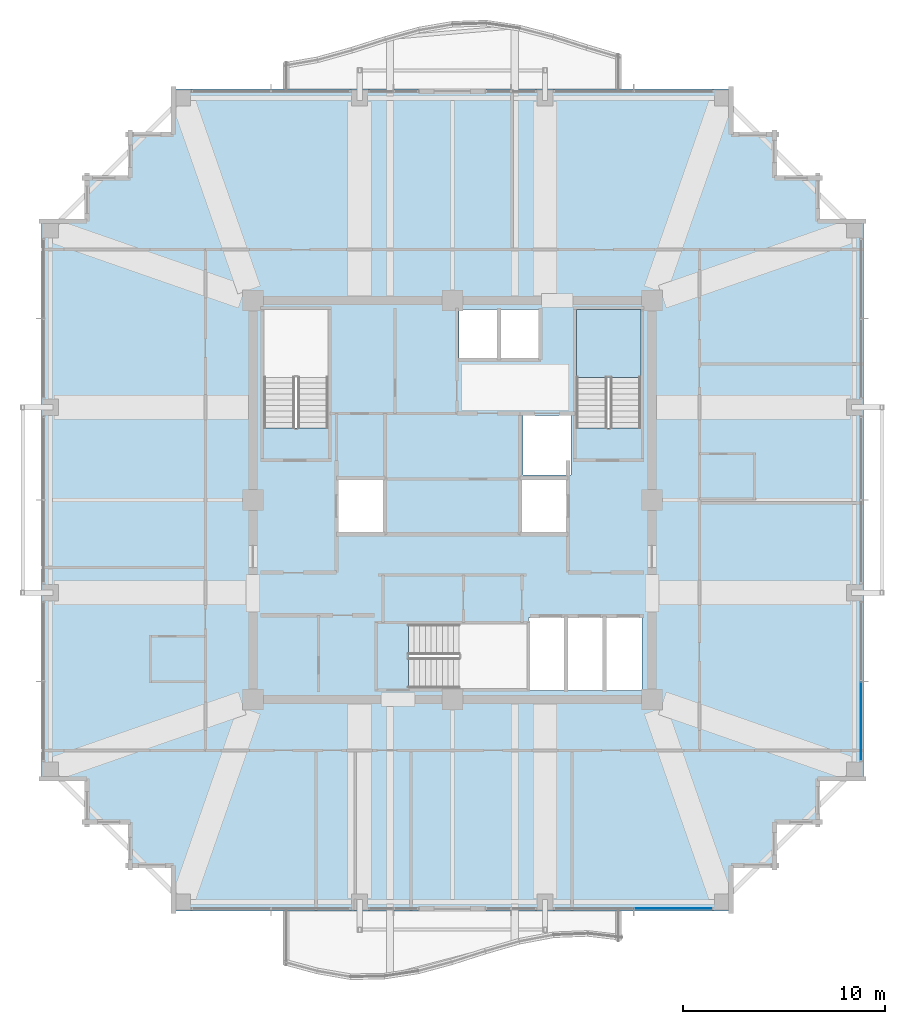
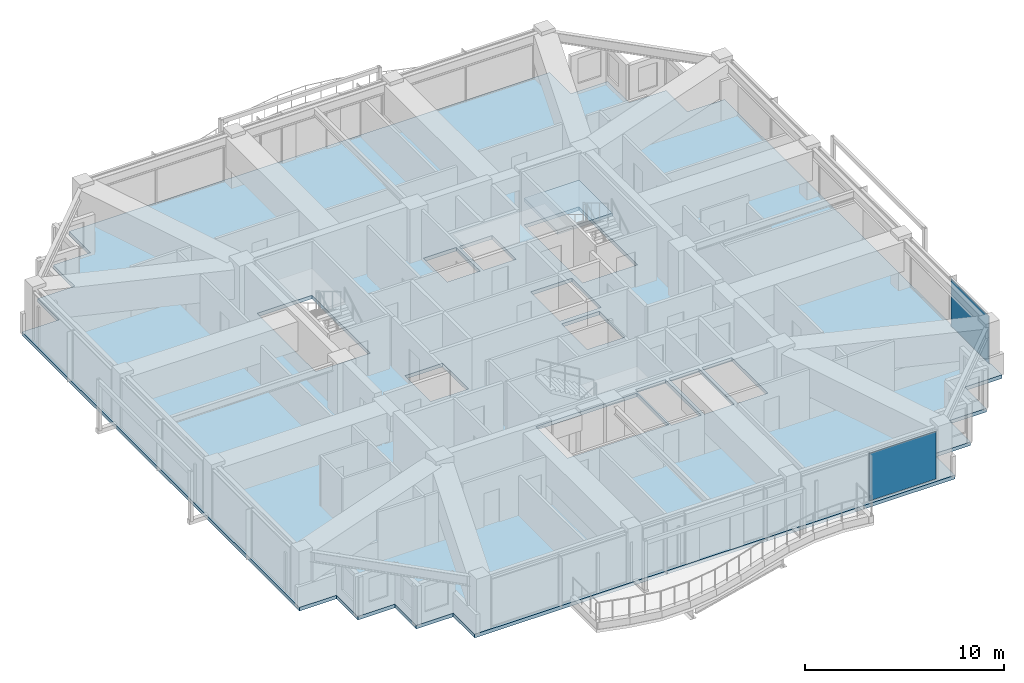
# One storey, part 27 of 37: 2 plates, 2 slabs, 3 elements without a shape of their own.
"""IFC4 building model written with IfcOpenShell, lengths in metres."""

from ifc_helpers import new_model, si_unit, direction, frame, origin, origin_2d, place, context, subcontext, project, spatial, polyline, rectangle, outline, extrude, material, layer, layer_set, type_object, element, aggregate, save


model = new_model("IFC4")

# Units and contexts
model_context = context("Model", 3, precision=1e-05, world=origin(), true_north=direction((0.0, 1.0)))
body_context = subcontext(model_context, "Body", "Model", "MODEL_VIEW")
ifc_project = project(units=[si_unit("LENGTHUNIT", "METRE"), si_unit("AREAUNIT", "SQUARE_METRE"), si_unit("VOLUMEUNIT", "CUBIC_METRE"), si_unit("PLANEANGLEUNIT", "RADIAN"), si_unit("MASSUNIT", "GRAM", prefix="KILO")], contexts=[model_context])

# Site, building, storey
site_placement = place(None, origin())
site = spatial("IfcSite", under=ifc_project, at=site_placement, CompositionType="ELEMENT")
building_placement = place(site_placement, origin())
building = spatial("IfcBuilding", under=site, at=building_placement, Name="Kolvaren Belvedere", CompositionType="ELEMENT")
storey_placement = place(building_placement, frame((0.0, 0.0, 219.60009765625)))
storey = spatial("IfcBuildingStorey", under=building, at=storey_placement, Name="L64", CompositionType="ELEMENT", Elevation=219.60009765625)

# Curtain wall, plate
ifc_material_1 = material(Name="Anodised pale-metal aluminium AA 6063-T6", Category="aluminium")
curtain_wall_type = type_object("IfcCurtainWallType", Name="CW-Z5-HIGH", PredefinedType="NOTDEFINED", material=ifc_material_1)
curtain_wall_1_placement = place(storey_placement, origin())
curtain_wall_1 = element("IfcCurtainWall", 1, at=curtain_wall_1_placement, inside=storey, type_object=curtain_wall_type, Name="L64 Unitised Curtain Wall FCW-L64-S1-B1", PredefinedType="NOTDEFINED")
ifc_material_2 = material(Name="Low-iron triple insulated glass", Category="glass")
ifc_layer_1 = layer(ifc_material_2, 0.028076171875)
ifc_layer_set_1 = layer_set([ifc_layer_1], Name="Low-iron triple insulated glass")
plate_type = type_object("IfcPlateType", Name="CW-PNL-VIS28", PredefinedType="CURTAIN_PANEL", material=ifc_layer_set_1)
plate_1_placement = place(storey_placement, frame((10.972412109375, -20.280029296875, 0.079833984375), z_axis=(0.0, 0.0, 1.0), x_axis=(-1.0, 0.0, 0.0)))
plate_1 = element("IfcPlate", 2, at=plate_1_placement, type_object=plate_type, Name="FCW-L64-S1-B1 Vision Glazing Panel 1", PredefinedType="CURTAIN_PANEL", context=body_context, shape_type="SweptSolid", body=[
    extrude(rectangle(XDim=3.864990234375, YDim=0.028076171875, at=origin_2d()), origin(), (0.0, 0.0, 1.0), 2.919921875),
])
aggregate(curtain_wall_1, [plate_1])

curtain_wall_2_placement = place(storey_placement, origin())
curtain_wall_2 = element("IfcCurtainWall", 3, at=curtain_wall_2_placement, inside=storey, type_object=curtain_wall_type, Name="L64 Unitised Curtain Wall FCW-L64-E-B3", PredefinedType="NOTDEFINED")
plate_2_placement = place(storey_placement, frame((20.280029296875, -10.972412109375, 0.079833984375), z_axis=(0.0, 0.0, 1.0), x_axis=(0.0, -1.0, 0.0)))
plate_2 = element("IfcPlate", 4, at=plate_2_placement, type_object=plate_type, Name="FCW-L64-E-B3 Vision Glazing Panel 2", PredefinedType="CURTAIN_PANEL", context=body_context, shape_type="SweptSolid", body=[
    extrude(rectangle(XDim=3.864990234375, YDim=0.028076171875, at=origin_2d()), origin(), (0.0, 0.0, 1.0), 2.919921875),
])
aggregate(curtain_wall_2, [plate_2])

# Slab
ifc_material_3 = material(Name="Concrete C50/60", Category="concrete")
ifc_layer_2 = layer(ifc_material_3, 0.219970703125)
ifc_layer_set_2 = layer_set([ifc_layer_2], Name="Concrete C50/60")
slab_type_1 = type_object("IfcSlabType", Name="SL-FLR-220", PredefinedType="FLOOR", material=ifc_layer_set_2)
slab_1_placement = place(storey_placement, frame((0.0, 0.0, -0.22021484375)))
element("IfcSlab", 5, at=slab_1_placement, inside=storey, type_object=slab_type_1, Name="L64 Primary Structural Slab", PredefinedType="FLOOR", context=body_context, shape_type="SweptSolid", body=[
    extrude(outline(polyline([(-13.949951171875, -20.39990234375), (13.949951171875, -20.39990234375), (13.949951171875, -18.25), (16.10009765625, -18.25), (16.10009765625, -16.10009765625), (18.25, -16.10009765625), (18.25, -13.949951171875), (20.39990234375, -13.949951171875), (20.39990234375, 13.949951171875), (18.25, 13.949951171875), (18.25, 16.10009765625), (16.10009765625, 16.10009765625), (16.10009765625, 18.25), (13.949951171875, 18.25), (13.949951171875, 20.39990234375), (-13.949951171875, 20.39990234375), (-13.949951171875, 18.25), (-16.10009765625, 18.25), (-16.10009765625, 16.10009765625), (-18.25, 16.10009765625), (-18.25, 13.949951171875), (-20.39990234375, 13.949951171875), (-20.39990234375, -13.949951171875), (-18.25, -13.949951171875), (-18.25, -16.10009765625), (-16.10009765625, -16.10009765625), (-16.10009765625, -18.25), (-13.949951171875, -18.25), (-13.949951171875, -20.39990234375)]), holes=[polyline([(-9.35009765625, 3.580078125), (-6.159912109375, 3.580078125), (-6.159912109375, 9.449951171875), (-9.35009765625, 9.449951171875), (-9.35009765625, 3.580078125)]), polyline([(6.159912109375, 3.580078125), (9.35009765625, 3.580078125), (9.35009765625, 9.449951171875), (6.159912109375, 9.449951171875), (6.159912109375, 3.580078125)]), polyline([(-2.169921875, -9.35009765625), (3.699951171875, -9.35009765625), (3.699951171875, -6.159912109375), (-2.169921875, -6.159912109375), (-2.169921875, -9.35009765625)]), polyline([(-5.64990234375, -1.60009765625), (-3.449951171875, -1.60009765625), (-3.449951171875, 1.0), (-5.64990234375, 1.0), (-5.64990234375, -1.60009765625)]), polyline([(3.5, 1.25), (5.89990234375, 1.25), (5.89990234375, 4.199951171875), (3.5, 4.199951171875), (3.5, 1.25)]), polyline([(3.449951171875, -1.60009765625), (5.64990234375, -1.60009765625), (5.64990234375, 1.0), (3.449951171875, 1.0), (3.449951171875, -1.60009765625)]), polyline([(3.7900390625, -9.449951171875), (5.5400390625, -9.449951171875), (5.5400390625, -5.85009765625), (3.7900390625, -5.85009765625), (3.7900390625, -9.449951171875)]), polyline([(5.719970703125, -9.449951171875), (7.469970703125, -9.449951171875), (7.469970703125, -5.85009765625), (5.719970703125, -5.85009765625), (5.719970703125, -9.449951171875)]), polyline([(7.64990234375, -9.449951171875), (9.39990234375, -9.449951171875), (9.39990234375, -5.85009765625), (7.64990234375, -5.85009765625), (7.64990234375, -9.449951171875)]), polyline([(0.320068359375, 7.050048828125), (2.219970703125, 7.050048828125), (2.219970703125, 9.449951171875), (0.320068359375, 9.449951171875), (0.320068359375, 7.050048828125)]), polyline([(2.39990234375, 7.050048828125), (4.300048828125, 7.050048828125), (4.300048828125, 9.449951171875), (2.39990234375, 9.449951171875), (2.39990234375, 7.050048828125)])]), origin(), (0.0, 0.0, 1.0), 0.22021484375),
])

# Stair, slab
ifc_material_4 = material(Name="Concrete C50/60", Category="concrete")
stair_type = type_object("IfcStairType", Name="ST-CORE-1520", PredefinedType="HALF_TURN_STAIR", material=ifc_material_4)
stair_placement = place(storey_placement, origin())
stair = element("IfcStair", 6, at=stair_placement, inside=storey, type_object=stair_type, Name="L64 Protected Exit Stair ST-2", PredefinedType="HALF_TURN_STAIR")
ifc_material_5 = material(Name="Concrete C50/60", Category="concrete")
ifc_layer_3 = layer(ifc_material_5, 0.260009765625)
ifc_layer_set_3 = layer_set([ifc_layer_3], Name="Concrete C50/60")
slab_type_2 = type_object("IfcSlabType", Name="SL-LAND-260", PredefinedType="LANDING", material=ifc_layer_set_3)
slab_2_placement = place(storey_placement, frame((0.0, 0.0, 1.449951171875)))
slab_2 = element("IfcSlab", 7, at=slab_2_placement, type_object=slab_type_2, Name="ST-2 landing 1", PredefinedType="LANDING", context=body_context, shape_type="SweptSolid", body=[
    extrude(outline(polyline([(9.35009765625, 6.090087890625), (9.35009765625, 9.449951171875), (6.159912109375, 9.449951171875), (6.159912109375, 6.090087890625), (9.35009765625, 6.090087890625)])), origin(), (0.0, 0.0, 1.0), 0.199951171875),
])
aggregate(stair, [slab_2])

save(model, "model.ifc")
